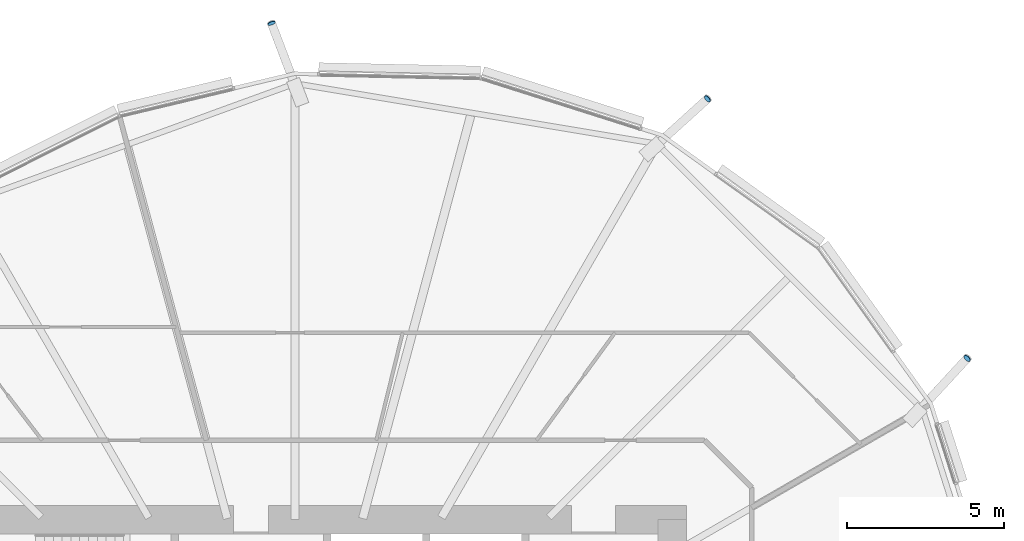
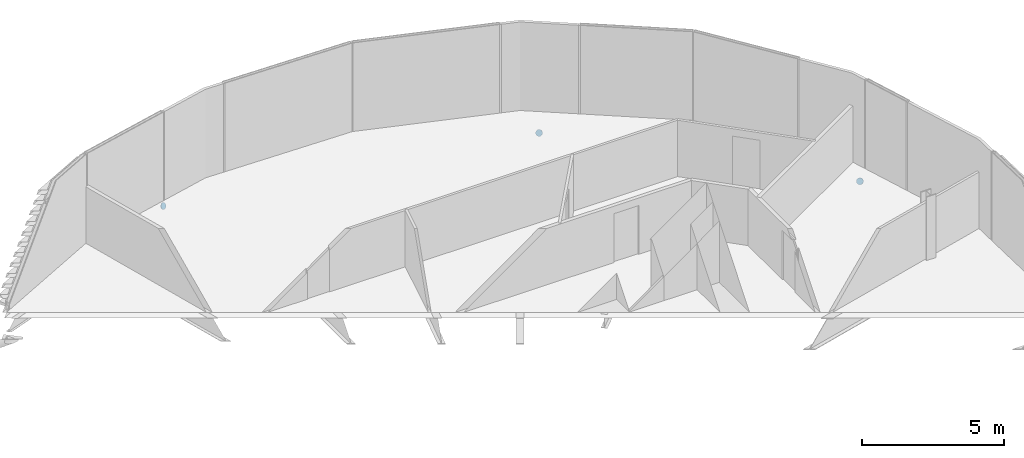
# One storey, part 31 of 38: 3 discrete accessories.
"""IFC4 building model written with IfcOpenShell, lengths in metres."""

from ifc_helpers import new_model, si_unit, direction, frame, origin, origin_2d, place, context, subcontext, project, spatial, circle, extrude, material, material_profile, profile_set, type_object, element, save


model = new_model("IFC4")

# Units and contexts
model_context = context("Model", 3, precision=1e-05, world=origin(), true_north=direction((0.0, 1.0)))
body_context = subcontext(model_context, "Body", "Model", "MODEL_VIEW")
ifc_project = project(units=[si_unit("LENGTHUNIT", "METRE"), si_unit("AREAUNIT", "SQUARE_METRE"), si_unit("VOLUMEUNIT", "CUBIC_METRE"), si_unit("PLANEANGLEUNIT", "RADIAN"), si_unit("MASSUNIT", "GRAM", prefix="KILO")], contexts=[model_context])

# Site, building, storey
site_placement = place(None, origin())
site = spatial("IfcSite", under=ifc_project, at=site_placement, CompositionType="ELEMENT")
building_placement = place(site_placement, origin())
building = spatial("IfcBuilding", under=site, at=building_placement, Name="Rimbun Link Towers", CompositionType="ELEMENT")
storey_placement = place(building_placement, frame((0.0, 0.0, 68.0)))
storey = spatial("IfcBuildingStorey", under=building, at=storey_placement, Name="L16", CompositionType="ELEMENT", Elevation=68.0)

# Discrete accessories
ifc_material = material(Name="Steel S355J2H", Category="steel")
ifc_material_profile = material_profile(ifc_material, circle(Radius=0.1240234375, at=origin_2d()), Name="PL D248")
ifc_profile_set = profile_set([ifc_material_profile], Name="Steel S355J2H")
discrete_accessory_type = type_object("IfcDiscreteAccessoryType", Name="Link foot sealing plate D248X20", PredefinedType="BRACKET", material=ifc_profile_set)
discrete_accessory_1_placement = place(storey_placement, frame((44.864990234375, 21.380859375, -2.208251953125), z_axis=(0.653024103439, 0.592558908676, -0.47162851915), x_axis=(-0.671989906513, 0.740560305137, 0.0)))
element("IfcDiscreteAccessory", 1, at=discrete_accessory_1_placement, inside=storey, type_object=discrete_accessory_type, Name="Link foot sealing plate T2 L16 01", PredefinedType="BRACKET", context=body_context, shape_type="SweptSolid", body=[
    extrude(circle(Radius=0.1240234375, at=origin_2d()), origin(), (0.0, 0.0, 1.0), 0.020263671875),
])
discrete_accessory_2_placement = place(storey_placement, frame((31.005126953125, 23.78466796875, -1.94970703125), z_axis=(-0.320037876546, 0.861640436855, -0.393892771134), x_axis=(-0.93742527201, -0.348186529604, 0.0)))
element("IfcDiscreteAccessory", 2, at=discrete_accessory_2_placement, inside=storey, type_object=discrete_accessory_type, Name="Link foot sealing plate T2 L16 03", PredefinedType="BRACKET", context=body_context, shape_type="SweptSolid", body=[
    extrude(circle(Radius=0.1240234375, at=origin_2d()), origin(), (0.0, 0.0, 1.0), 0.019775390625),
])
discrete_accessory_3_placement = place(storey_placement, frame((53.125732421875, 13.12646484375, -2.168212890625), z_axis=(0.583287625132, 0.631894927227, -0.510376671991), x_axis=(-0.734803444627, 0.678280102733, 0.0)))
element("IfcDiscreteAccessory", 3, at=discrete_accessory_3_placement, inside=storey, type_object=discrete_accessory_type, Name="Link foot sealing plate T2 L16 23", PredefinedType="BRACKET", context=body_context, shape_type="SweptSolid", body=[
    extrude(circle(Radius=0.1240234375, at=origin_2d()), origin(), (0.0, 0.0, 1.0), 0.02001953125),
])

save(model, "model.ifc")
